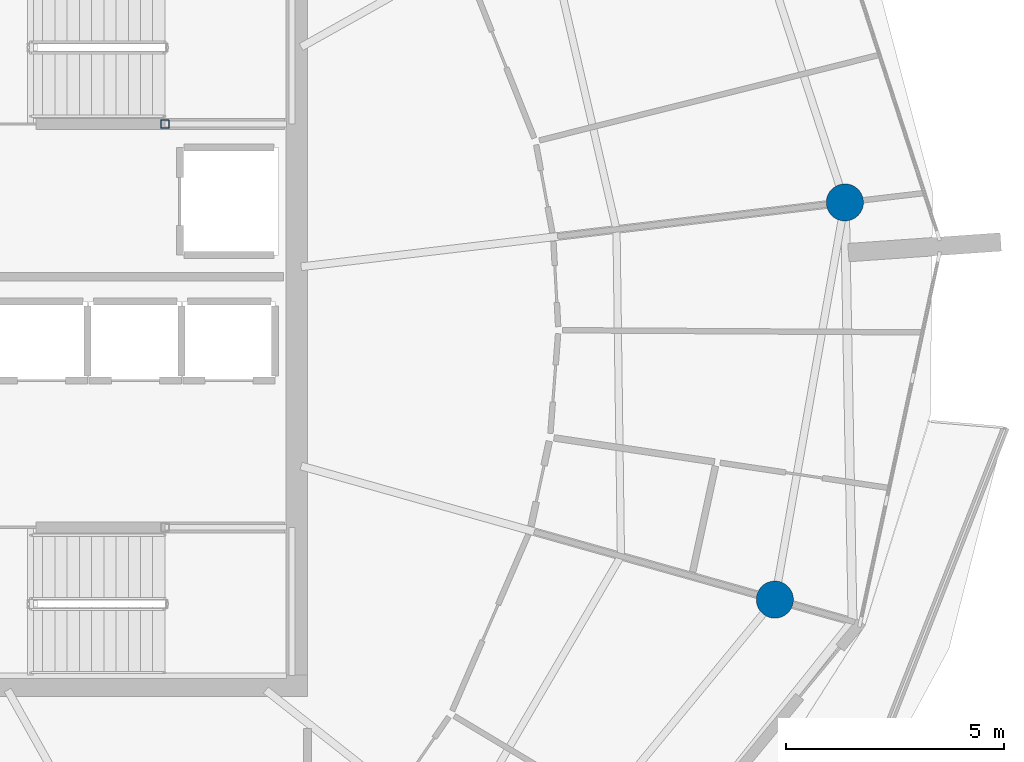
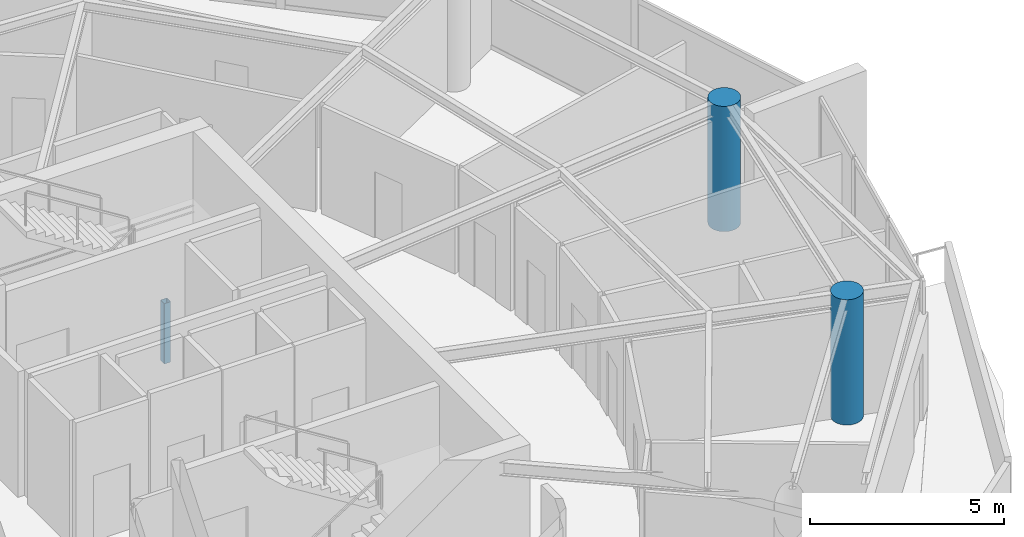
# One storey, part 3 of 20: 3 columns.
"""IFC4 building model written with IfcOpenShell, lengths in metres."""

from ifc_helpers import new_model, si_unit, direction, frame, origin, origin_2d, place, context, subcontext, project, spatial, hollow_rectangle, circle, extrude, material, material_profile, profile_set, type_object, element, save


model = new_model("IFC4")

# Units and contexts
model_context = context("Model", 3, precision=1e-05, world=origin(), true_north=direction((0.0, 1.0)))
body_context = subcontext(model_context, "Body", "Model", "MODEL_VIEW")
ifc_project = project(units=[si_unit("LENGTHUNIT", "METRE"), si_unit("AREAUNIT", "SQUARE_METRE"), si_unit("VOLUMEUNIT", "CUBIC_METRE"), si_unit("PLANEANGLEUNIT", "RADIAN"), si_unit("MASSUNIT", "GRAM", prefix="KILO")], contexts=[model_context])

# Site, building, storey
site_placement = place(None, origin())
site = spatial("IfcSite", under=ifc_project, at=site_placement, CompositionType="ELEMENT")
building_placement = place(site_placement, origin())
building = spatial("IfcBuilding", under=site, at=building_placement, Name="Kazma Halo Residences", CompositionType="ELEMENT")
storey_placement = place(building_placement, frame((0.0, 0.0, 317.89990234375)))
storey = spatial("IfcBuildingStorey", under=building, at=storey_placement, Name="L80", CompositionType="ELEMENT", Elevation=317.89990234375)

# Columns
ifc_material_1 = material(Name="Steel S355", Category="steel")
ifc_material_profile_1 = material_profile(ifc_material_1, hollow_rectangle(XDim=0.199951171875, YDim=0.199951171875, WallThickness=0.010009765625, InnerFilletRadius=0.010009765625, OuterFilletRadius=0.02001953125, at=origin_2d()), Name="SHS200x200x10")
ifc_profile_set_1 = profile_set([ifc_material_profile_1], Name="Steel S355")
column_type_1 = type_object("IfcColumnType", Name="COL-LP-SHS200", PredefinedType="COLUMN", material=ifc_profile_set_1)
column_placement = place(storey_placement, frame((56.280029296875, 46.6201171875, 0.0), z_axis=(0.0, 0.0, 1.0), x_axis=(1.0, 0.0, 0.0)))
element("IfcColumn", 1, at=column_placement, inside=storey, type_object=column_type_1, Name="L80 ST-02 landing pilaster 1", PredefinedType="COLUMN", context=body_context, shape_type="SweptSolid", body=[
    extrude(hollow_rectangle(XDim=0.199951171875, YDim=0.199951171875, WallThickness=0.010009765625, InnerFilletRadius=0.010009765625, OuterFilletRadius=0.02001953125, at=origin_2d()), origin(), (0.0, 0.0, 1.0), 1.89501953125),
])
ifc_material_2 = material(Name="Concrete C60/75", Category="concrete")
ifc_material_profile_2 = material_profile(ifc_material_2, circle(Radius=0.425048828125, at=origin_2d()), Name="CIRC850")
ifc_profile_set_2 = profile_set([ifc_material_profile_2], Name="Concrete C60/75")
column_type_2 = type_object("IfcColumnType", Name="COL-PERIM-850", PredefinedType="COLUMN", material=ifc_profile_set_2)
for number, where, z_axis, x_axis, name in (
    (2, (70.255615234375, 35.723388671875, 0.0), (0.0, 0.0, 1.0), (1.0, 0.0, 0.0), "L80 perimeter ring column P15"),
    (3, (71.8603515625, 44.82421875, 0.0), (0.0, 0.0, 1.0), (1.0, 0.0, 0.0), "L80 perimeter ring column P16"),
):
    element("IfcColumn", number, at=place(storey_placement, frame(where, z_axis=z_axis, x_axis=x_axis)), inside=storey, type_object=column_type_2, Name=name, PredefinedType="COLUMN", context=body_context, shape_type="SweptSolid", body=[
        extrude(circle(Radius=0.425048828125, at=origin_2d()), origin(), (0.0, 0.0, 1.0), 3.940185546875),
    ])

save(model, "model.ifc")
